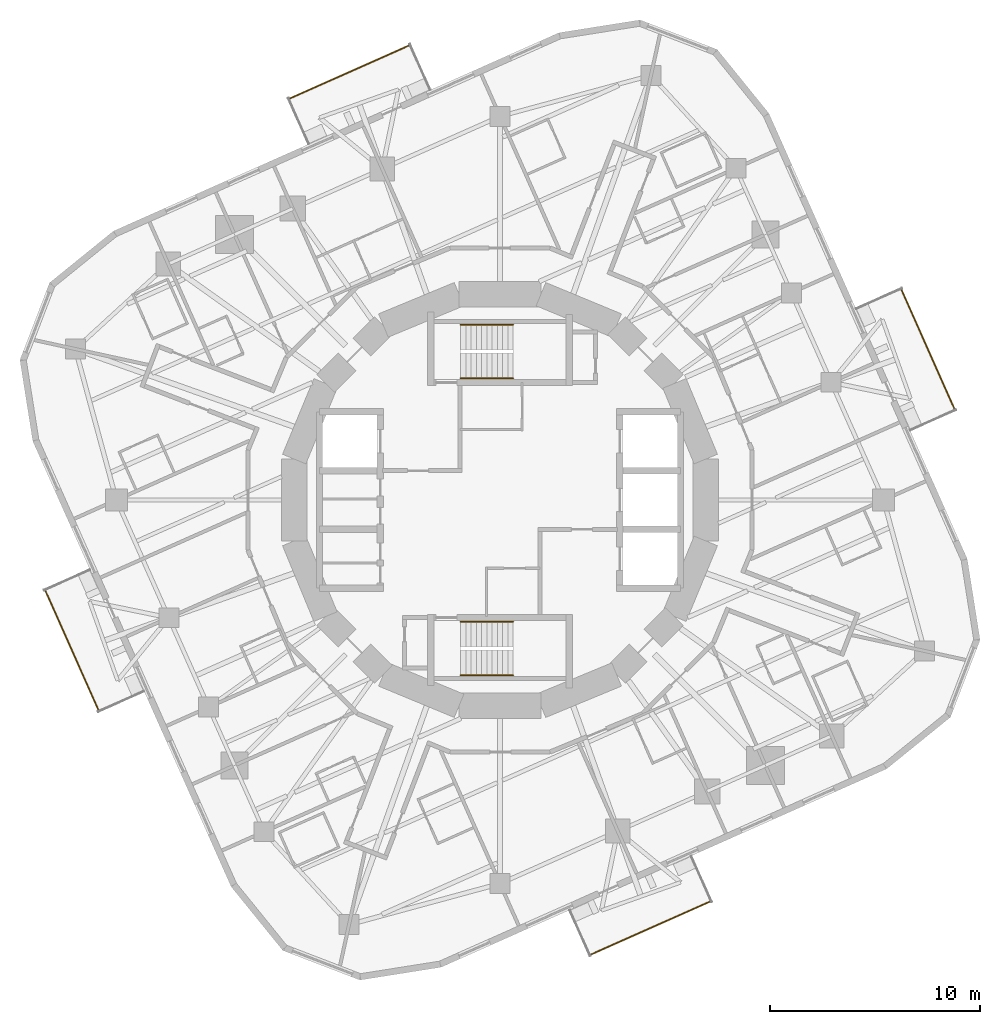
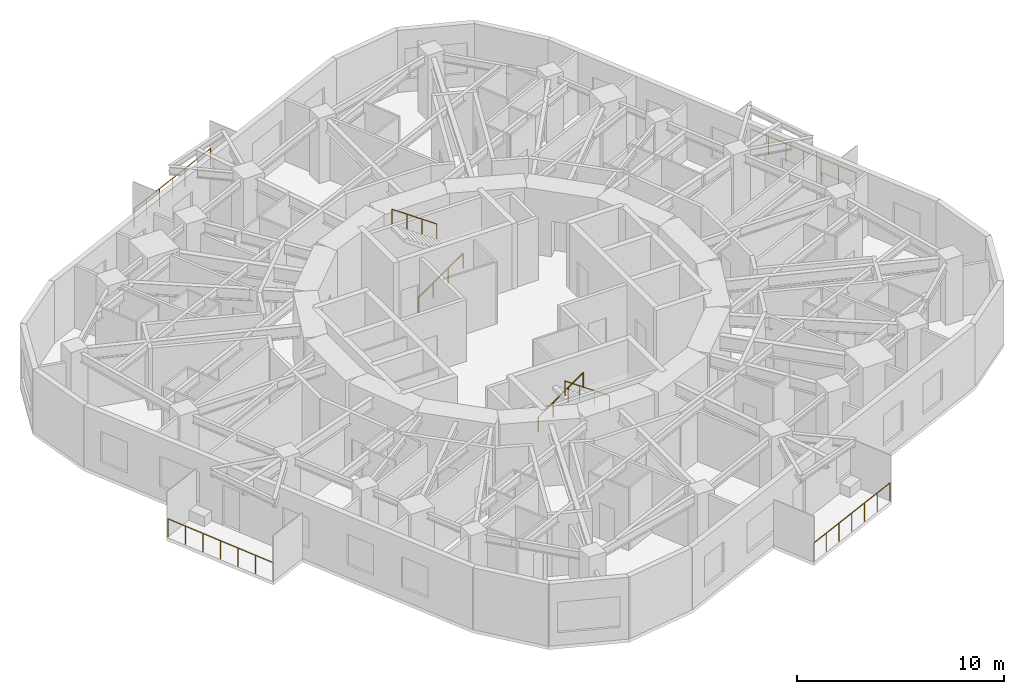
# One storey, part 11 of 12: 8 railings.
"""IFC4 building model written with IfcOpenShell, lengths in metres."""

from ifc_helpers import new_model, si_unit, direction, frame, origin, origin_2d, place, context, subcontext, project, spatial, circle, extrude, material, type_object, element, save


model = new_model("IFC4")

# Units and contexts
model_context = context("Model", 3, precision=1e-05, world=origin(), true_north=direction((0.0, 1.0)))
body_context = subcontext(model_context, "Body", "Model", "MODEL_VIEW")
ifc_project = project(units=[si_unit("LENGTHUNIT", "METRE"), si_unit("AREAUNIT", "SQUARE_METRE"), si_unit("VOLUMEUNIT", "CUBIC_METRE"), si_unit("PLANEANGLEUNIT", "RADIAN"), si_unit("MASSUNIT", "GRAM", prefix="KILO")], contexts=[model_context])

# Site, building, storey
site_placement = place(None, origin())
site = spatial("IfcSite", under=ifc_project, at=site_placement, CompositionType="ELEMENT")
building_placement = place(site_placement, origin())
building = spatial("IfcBuilding", under=site, at=building_placement, Name="Nakasero Lantern House", CompositionType="ELEMENT")
storey_placement = place(building_placement, frame((0.0, 0.0, 205.550048828125)))
storey = spatial("IfcBuildingStorey", under=building, at=storey_placement, Name="L50", CompositionType="ELEMENT", Elevation=205.550048828125)

# Railings
ifc_material_1 = material(Name="Aluminium 6063-T6", Category="aluminium")
railing_type_1 = type_object("IfcRailingType", Name="Balcony guard 1100", PredefinedType="BALUSTRADE", material=ifc_material_1)
railing_1_placement = place(storey_placement, frame((21.67529296875, 4.29931640625, 0.0)))
element("IfcRailing", 1, at=railing_1_placement, inside=storey, type_object=railing_type_1, Name="Balcony guard L50 BAL0", PredefinedType="BALUSTRADE", context=body_context, shape_type="SweptSolid", body=[
    extrude(circle(Radius=0.02392578125, at=origin_2d()), frame((0.0, 0.0, 1.076171875), z_axis=(-0.40676486805, 0.913532890552, 0.0), x_axis=(-0.913532890552, -0.40676486805, 0.0)), (0.0, 0.0, 1.0), 6.291259765625),
    extrude(circle(Radius=0.02099609375, at=origin_2d()), origin(), (0.0, 0.0, 1.0), 1.052001953125),
    extrude(circle(Radius=0.02099609375, at=origin_2d()), frame((-0.426513671875, 0.9580078125, 0.0)), (0.0, 0.0, 1.0), 1.052001953125),
    extrude(circle(Radius=0.02099609375, at=origin_2d()), frame((-0.85302734375, 1.915771484375, 0.0)), (0.0, 0.0, 1.0), 1.052001953125),
    extrude(circle(Radius=0.02099609375, at=origin_2d()), frame((-1.279541015625, 2.87353515625, 0.0)), (0.0, 0.0, 1.0), 1.052001953125),
    extrude(circle(Radius=0.02099609375, at=origin_2d()), frame((-1.7060546875, 3.83154296875, 0.0)), (0.0, 0.0, 1.0), 1.052001953125),
    extrude(circle(Radius=0.02099609375, at=origin_2d()), frame((-2.132568359375, 4.78955078125, 0.0)), (0.0, 0.0, 1.0), 1.052001953125),
    extrude(circle(Radius=0.02099609375, at=origin_2d()), frame((-2.55908203125, 5.747314453125, 0.0)), (0.0, 0.0, 1.0), 1.052001953125),
])
railing_2_placement = place(storey_placement, frame((-4.29931640625, 21.67529296875, 0.0)))
element("IfcRailing", 2, at=railing_2_placement, inside=storey, type_object=railing_type_1, Name="Balcony guard L50 BAL1", PredefinedType="BALUSTRADE", context=body_context, shape_type="SweptSolid", body=[
    extrude(circle(Radius=0.02392578125, at=origin_2d()), frame((0.0, 0.0, 1.076171875), z_axis=(-0.913532890552, -0.40676486805, 0.0), x_axis=(0.40676486805, -0.913532890552, 0.0)), (0.0, 0.0, 1.0), 6.291259765625),
    extrude(circle(Radius=0.02099609375, at=origin_2d()), origin(), (0.0, 0.0, 1.0), 1.052001953125),
    extrude(circle(Radius=0.02099609375, at=origin_2d()), frame((-0.9580078125, -0.426513671875, 0.0)), (0.0, 0.0, 1.0), 1.052001953125),
    extrude(circle(Radius=0.02099609375, at=origin_2d()), frame((-1.915771484375, -0.85302734375, 0.0)), (0.0, 0.0, 1.0), 1.052001953125),
    extrude(circle(Radius=0.02099609375, at=origin_2d()), frame((-2.87353515625, -1.279541015625, 0.0)), (0.0, 0.0, 1.0), 1.052001953125),
    extrude(circle(Radius=0.02099609375, at=origin_2d()), frame((-3.83154296875, -1.7060546875, 0.0)), (0.0, 0.0, 1.0), 1.052001953125),
    extrude(circle(Radius=0.02099609375, at=origin_2d()), frame((-4.78955078125, -2.132568359375, 0.0)), (0.0, 0.0, 1.0), 1.052001953125),
    extrude(circle(Radius=0.02099609375, at=origin_2d()), frame((-5.747314453125, -2.55908203125, 0.0)), (0.0, 0.0, 1.0), 1.052001953125),
])
railing_3_placement = place(storey_placement, frame((-21.67529296875, -4.29931640625, 0.0)))
element("IfcRailing", 3, at=railing_3_placement, inside=storey, type_object=railing_type_1, Name="Balcony guard L50 BAL2", PredefinedType="BALUSTRADE", context=body_context, shape_type="SweptSolid", body=[
    extrude(circle(Radius=0.02392578125, at=origin_2d()), frame((0.0, 0.0, 1.076171875), z_axis=(0.40676486805, -0.913532890552, 0.0), x_axis=(0.913532890552, 0.40676486805, 0.0)), (0.0, 0.0, 1.0), 6.291259765625),
    extrude(circle(Radius=0.02099609375, at=origin_2d()), origin(), (0.0, 0.0, 1.0), 1.052001953125),
    extrude(circle(Radius=0.02099609375, at=origin_2d()), frame((0.426513671875, -0.9580078125, 0.0)), (0.0, 0.0, 1.0), 1.052001953125),
    extrude(circle(Radius=0.02099609375, at=origin_2d()), frame((0.85302734375, -1.915771484375, 0.0)), (0.0, 0.0, 1.0), 1.052001953125),
    extrude(circle(Radius=0.02099609375, at=origin_2d()), frame((1.279541015625, -2.87353515625, 0.0)), (0.0, 0.0, 1.0), 1.052001953125),
    extrude(circle(Radius=0.02099609375, at=origin_2d()), frame((1.7060546875, -3.83154296875, 0.0)), (0.0, 0.0, 1.0), 1.052001953125),
    extrude(circle(Radius=0.02099609375, at=origin_2d()), frame((2.132568359375, -4.78955078125, 0.0)), (0.0, 0.0, 1.0), 1.052001953125),
    extrude(circle(Radius=0.02099609375, at=origin_2d()), frame((2.55908203125, -5.747314453125, 0.0)), (0.0, 0.0, 1.0), 1.052001953125),
])
railing_4_placement = place(storey_placement, frame((4.29931640625, -21.67529296875, 0.0)))
element("IfcRailing", 4, at=railing_4_placement, inside=storey, type_object=railing_type_1, Name="Balcony guard L50 BAL3", PredefinedType="BALUSTRADE", context=body_context, shape_type="SweptSolid", body=[
    extrude(circle(Radius=0.02392578125, at=origin_2d()), frame((0.0, 0.0, 1.076171875), z_axis=(0.913532890552, 0.40676486805, 0.0), x_axis=(-0.40676486805, 0.913532890552, 0.0)), (0.0, 0.0, 1.0), 6.291259765625),
    extrude(circle(Radius=0.02099609375, at=origin_2d()), origin(), (0.0, 0.0, 1.0), 1.052001953125),
    extrude(circle(Radius=0.02099609375, at=origin_2d()), frame((0.9580078125, 0.426513671875, 0.0)), (0.0, 0.0, 1.0), 1.052001953125),
    extrude(circle(Radius=0.02099609375, at=origin_2d()), frame((1.915771484375, 0.85302734375, 0.0)), (0.0, 0.0, 1.0), 1.052001953125),
    extrude(circle(Radius=0.02099609375, at=origin_2d()), frame((2.87353515625, 1.279541015625, 0.0)), (0.0, 0.0, 1.0), 1.052001953125),
    extrude(circle(Radius=0.02099609375, at=origin_2d()), frame((3.83154296875, 1.7060546875, 0.0)), (0.0, 0.0, 1.0), 1.052001953125),
    extrude(circle(Radius=0.02099609375, at=origin_2d()), frame((4.78955078125, 2.132568359375, 0.0)), (0.0, 0.0, 1.0), 1.052001953125),
    extrude(circle(Radius=0.02099609375, at=origin_2d()), frame((5.747314453125, 2.55908203125, 0.0)), (0.0, 0.0, 1.0), 1.052001953125),
])
ifc_material_2 = material(Name="Stainless steel 316", Category="steel")
railing_type_2 = type_object("IfcRailingType", Name="Stair handrail 900", PredefinedType="HANDRAIL", material=ifc_material_2)
railing_5_placement = place(storey_placement, frame((-1.875, 5.800048828125, 0.175048828125)))
element("IfcRailing", 5, at=railing_5_placement, inside=storey, type_object=railing_type_2, Name="Handrail ST1 L50 flight 1", PredefinedType="HANDRAIL", context=body_context, shape_type="SweptSolid", body=[
    extrude(circle(Radius=0.02392578125, at=origin_2d()), frame((0.0, 0.0, 0.8759765625), z_axis=(0.819231920519, 0.0, 0.573462344363), x_axis=(0.0, 1.0, 0.0)), (0.0, 0.0, 1.0), 3.0517578125),
    extrude(circle(Radius=0.02099609375, at=origin_2d()), origin(), (0.0, 0.0, 1.0), 0.851806640625),
    extrude(circle(Radius=0.02099609375, at=origin_2d()), frame((0.833251953125, 0.0, 0.583251953125)), (0.0, 0.0, 1.0), 0.851806640625),
    extrude(circle(Radius=0.02099609375, at=origin_2d()), frame((1.666748046875, 0.0, 1.166748046875)), (0.0, 0.0, 1.0), 0.851806640625),
    extrude(circle(Radius=0.02099609375, at=origin_2d()), frame((2.5, 0.0, 1.75)), (0.0, 0.0, 1.0), 0.851806640625),
])
railing_6_placement = place(storey_placement, frame((0.625, 8.35009765625, 2.099853515625)))
element("IfcRailing", 6, at=railing_6_placement, inside=storey, type_object=railing_type_2, Name="Handrail ST1 L50 flight 2", PredefinedType="HANDRAIL", context=body_context, shape_type="SweptSolid", body=[
    extrude(circle(Radius=0.02392578125, at=origin_2d()), frame((0.0, 0.0, 0.8759765625), z_axis=(-0.819231920519, 0.0, 0.573462344363), x_axis=(0.0, -1.0, 0.0)), (0.0, 0.0, 1.0), 3.0517578125),
    extrude(circle(Radius=0.02099609375, at=origin_2d()), origin(), (0.0, 0.0, 1.0), 0.851806640625),
    extrude(circle(Radius=0.02099609375, at=origin_2d()), frame((-0.833251953125, 0.0, 0.583251953125)), (0.0, 0.0, 1.0), 0.851806640625),
    extrude(circle(Radius=0.02099609375, at=origin_2d()), frame((-1.666748046875, 0.0, 1.166748046875)), (0.0, 0.0, 1.0), 0.851806640625),
    extrude(circle(Radius=0.02099609375, at=origin_2d()), frame((-2.5, 0.0, 1.75)), (0.0, 0.0, 1.0), 0.851806640625),
])
railing_7_placement = place(storey_placement, frame((-1.875, -5.800048828125, 0.175048828125)))
element("IfcRailing", 7, at=railing_7_placement, inside=storey, type_object=railing_type_2, Name="Handrail ST2 L50 flight 1", PredefinedType="HANDRAIL", context=body_context, shape_type="SweptSolid", body=[
    extrude(circle(Radius=0.02392578125, at=origin_2d()), frame((0.0, 0.0, 0.8759765625), z_axis=(0.819231920519, 0.0, 0.573462344363), x_axis=(0.0, 1.0, 0.0)), (0.0, 0.0, 1.0), 3.0517578125),
    extrude(circle(Radius=0.02099609375, at=origin_2d()), origin(), (0.0, 0.0, 1.0), 0.851806640625),
    extrude(circle(Radius=0.02099609375, at=origin_2d()), frame((0.833251953125, 0.0, 0.583251953125)), (0.0, 0.0, 1.0), 0.851806640625),
    extrude(circle(Radius=0.02099609375, at=origin_2d()), frame((1.666748046875, 0.0, 1.166748046875)), (0.0, 0.0, 1.0), 0.851806640625),
    extrude(circle(Radius=0.02099609375, at=origin_2d()), frame((2.5, 0.0, 1.75)), (0.0, 0.0, 1.0), 0.851806640625),
])
railing_8_placement = place(storey_placement, frame((0.625, -8.35009765625, 2.099853515625)))
element("IfcRailing", 8, at=railing_8_placement, inside=storey, type_object=railing_type_2, Name="Handrail ST2 L50 flight 2", PredefinedType="HANDRAIL", context=body_context, shape_type="SweptSolid", body=[
    extrude(circle(Radius=0.02392578125, at=origin_2d()), frame((0.0, 0.0, 0.8759765625), z_axis=(-0.819231920519, 0.0, 0.573462344363), x_axis=(0.0, -1.0, 0.0)), (0.0, 0.0, 1.0), 3.0517578125),
    extrude(circle(Radius=0.02099609375, at=origin_2d()), origin(), (0.0, 0.0, 1.0), 0.851806640625),
    extrude(circle(Radius=0.02099609375, at=origin_2d()), frame((-0.833251953125, 0.0, 0.583251953125)), (0.0, 0.0, 1.0), 0.851806640625),
    extrude(circle(Radius=0.02099609375, at=origin_2d()), frame((-1.666748046875, 0.0, 1.166748046875)), (0.0, 0.0, 1.0), 0.851806640625),
    extrude(circle(Radius=0.02099609375, at=origin_2d()), frame((-2.5, 0.0, 1.75)), (0.0, 0.0, 1.0), 0.851806640625),
])

save(model, "model.ifc")
